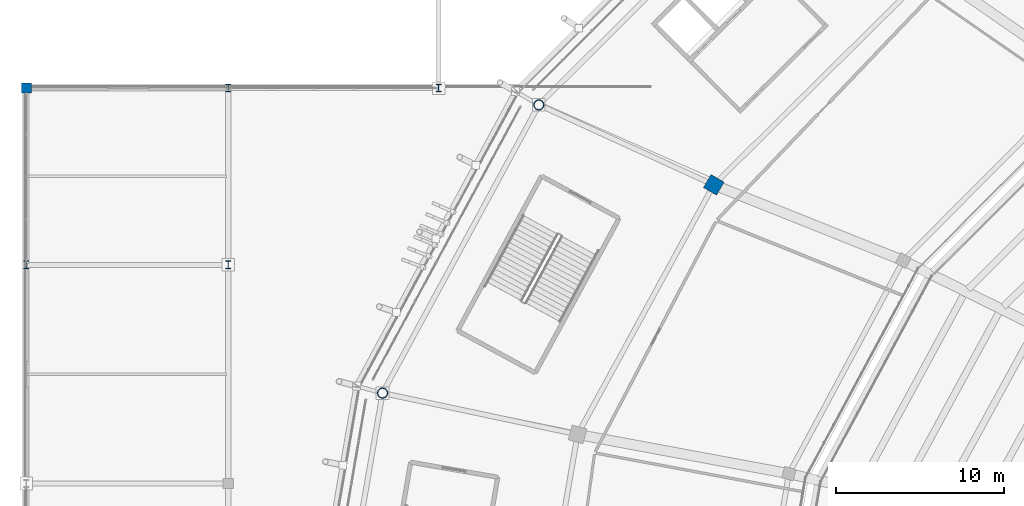
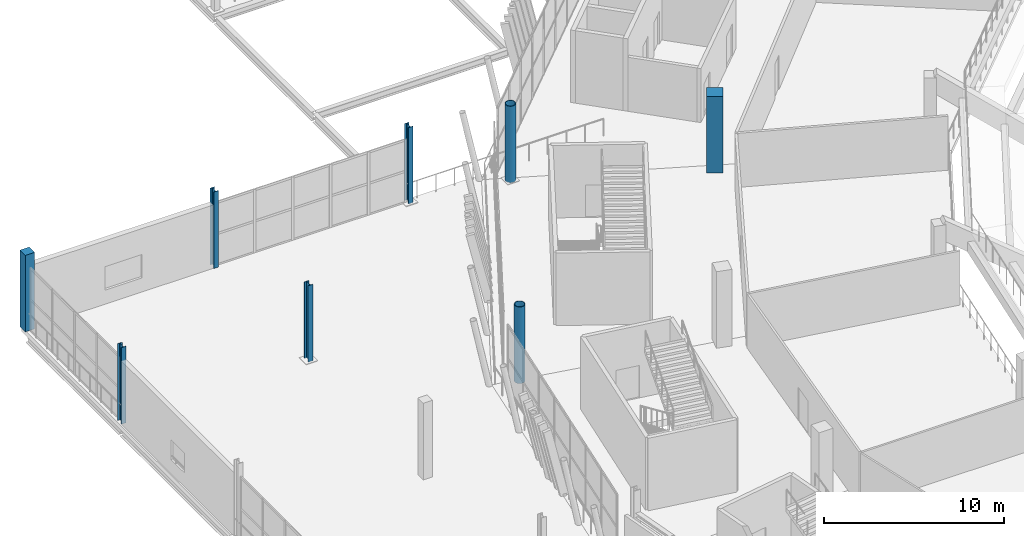
# One storey, part 9 of 178: 8 columns.
"""IFC4 building model written with IfcOpenShell, lengths in metres."""

from ifc_helpers import new_model, si_unit, direction, frame, origin, origin_2d, place, context, subcontext, project, spatial, rectangle, hollow_circle, i_section, extrude, material, material_profile, profile_set, type_object, element, save


model = new_model("IFC4")

# Units and contexts
model_context = context("Model", 3, precision=1e-05, world=origin(), true_north=direction((0.0, 1.0)))
body_context = subcontext(model_context, "Body", "Model", "MODEL_VIEW")
ifc_project = project(units=[si_unit("LENGTHUNIT", "METRE"), si_unit("AREAUNIT", "SQUARE_METRE"), si_unit("VOLUMEUNIT", "CUBIC_METRE"), si_unit("PLANEANGLEUNIT", "RADIAN"), si_unit("MASSUNIT", "GRAM", prefix="KILO")], contexts=[model_context])

# Site, building, storey
site_placement = place(None, origin())
site = spatial("IfcSite", under=ifc_project, at=site_placement, CompositionType="ELEMENT")
building_placement = place(site_placement, origin())
building = spatial("IfcBuilding", under=site, at=building_placement, Name="Zlatoyarsky Gate Stadium", CompositionType="ELEMENT")
storey_placement = place(building_placement, frame((0.0, 0.0, 5.39990234375)))
storey = spatial("IfcBuildingStorey", under=building, at=storey_placement, Name="L01", CompositionType="ELEMENT", Elevation=5.39990234375)

# Columns
ifc_material_1 = material(Name="Concrete C40/50", Category="concrete")
ifc_material_profile_1 = material_profile(ifc_material_1, rectangle(XDim=0.60009765625, YDim=0.60009765625, at=origin_2d()), Name="RC COL 600X600")
ifc_profile_set_1 = profile_set([ifc_material_profile_1], Name="Concrete C40/50")
column_type_1 = type_object("IfcColumnType", Name="CONCRETE COLUMN 600X600", PredefinedType="COLUMN", material=ifc_profile_set_1)
column_1_placement = place(storey_placement, frame((0.0, 116.5, 0.0), z_axis=(0.0, 0.0, 1.0), x_axis=(1.0, 0.0, 0.0)))
element("IfcColumn", 1, at=column_1_placement, inside=storey, type_object=column_type_1, Name="Column RC-C60 WG-1-L on L01", PredefinedType="COLUMN", context=body_context, shape_type="SweptSolid", body=[
    extrude(rectangle(XDim=0.60009765625, YDim=0.60009765625, at=origin_2d()), origin(), (0.0, 0.0, 1.0), 5.2001953125),
])
ifc_material_profile_2 = material_profile(ifc_material_1, rectangle(XDim=0.89990234375, YDim=0.89990234375, at=origin_2d()), Name="RC COL 900X900")
ifc_profile_set_2 = profile_set([ifc_material_profile_2], Name="Concrete C40/50")
column_type_2 = type_object("IfcColumnType", Name="CONCRETE COLUMN 900X900", PredefinedType="COLUMN", material=ifc_profile_set_2)
column_2_placement = place(storey_placement, frame((40.851806640625, 110.75, 0.0), z_axis=(0.0, 0.0, 1.0), x_axis=(-0.866025403784, 0.5, 0.0)))
element("IfcColumn", 2, at=column_2_placement, inside=storey, type_object=column_type_2, Name="Column RC-C90 RB-10 on L01", PredefinedType="COLUMN", context=body_context, shape_type="SweptSolid", body=[
    extrude(rectangle(XDim=0.89990234375, YDim=0.89990234375, at=origin_2d()), origin(), (0.0, 0.0, 1.0), 5.2001953125),
])
ifc_material_2 = material(Name="Steel S355", Category="steel")
ifc_material_profile_3 = material_profile(ifc_material_2, i_section(OverallWidth=0.300048828125, OverallDepth=0.449951171875, WebThickness=0.013916015625, FlangeThickness=0.02587890625, FilletRadius=0.027099609375, at=origin_2d()), Name="HEB 450")
ifc_profile_set_3 = profile_set([ifc_material_profile_3], Name="Steel S355")
column_type_3 = type_object("IfcColumnType", Name="STEEL COLUMN HEB 450", PredefinedType="COLUMN", material=ifc_profile_set_3)
for number, where, z_axis, x_axis, name in (
    (3, (0.0, 106.0, 0.0), (0.0, 0.0, 1.0), (1.0, 0.0, 0.0), "Column ST-C450 WG-1-K on L01"),
    (4, (12.0, 106.0, 0.0), (0.0, 0.0, 1.0), (1.0, 0.0, 0.0), "Column ST-C450 WG-2-K on L01"),
    (5, (12.0, 116.5, 0.0), (0.0, 0.0, 1.0), (1.0, 0.0, 0.0), "Column ST-C450 WG-2-L on L01"),
    (6, (24.5, 116.5, 0.0), (0.0, 0.0, 1.0), (1.0, 0.0, 0.0), "Column ST-C450 WG-3-L on L01"),
):
    element("IfcColumn", number, at=place(storey_placement, frame(where, z_axis=z_axis, x_axis=x_axis)), inside=storey, type_object=column_type_3, Name=name, PredefinedType="COLUMN", context=body_context, shape_type="SweptSolid", body=[
        extrude(i_section(OverallWidth=0.300048828125, OverallDepth=0.449951171875, WebThickness=0.013916015625, FlangeThickness=0.02587890625, FilletRadius=0.027099609375, at=origin_2d()), origin(), (0.0, 0.0, 1.0), 5.2001953125),
    ])
ifc_material_profile_4 = material_profile(ifc_material_2, hollow_circle(Radius=0.304931640625, WallThickness=0.030029296875, at=origin_2d()), Name="CHS 610X30")
ifc_profile_set_4 = profile_set([ifc_material_profile_4], Name="Steel S355")
column_type_4 = type_object("IfcColumnType", Name="STEEL TUBULAR COLUMN CHS 610X30", PredefinedType="COLUMN", material=ifc_profile_set_4)
for number, where, z_axis, x_axis, name in (
    (7, (30.459716796875, 115.5, 0.0), (0.0, 0.0, 1.0), (-0.866025403784, 0.5, 0.0), "Column ST-C610 RC-10 on L01"),
    (8, (21.1689453125, 98.376220703125, 0.0), (0.0, 0.0, 1.0), (-0.965925826289, 0.258819045103, 0.0), "Column ST-C610 RC-11 on L01"),
):
    element("IfcColumn", number, at=place(storey_placement, frame(where, z_axis=z_axis, x_axis=x_axis)), inside=storey, type_object=column_type_4, Name=name, PredefinedType="COLUMN", context=body_context, shape_type="SweptSolid", body=[
        extrude(hollow_circle(Radius=0.304931640625, WallThickness=0.030029296875, at=origin_2d()), origin(), (0.0, 0.0, 1.0), 5.2001953125),
    ])

save(model, "model.ifc")
